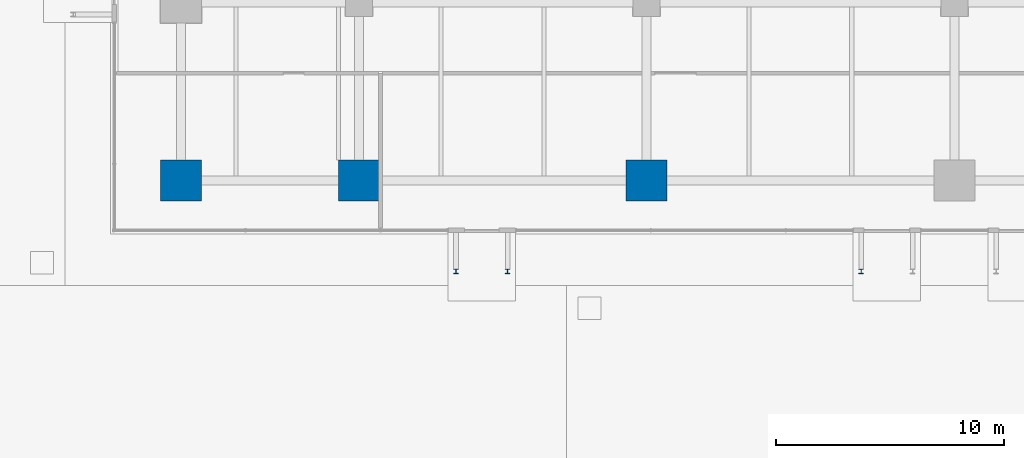
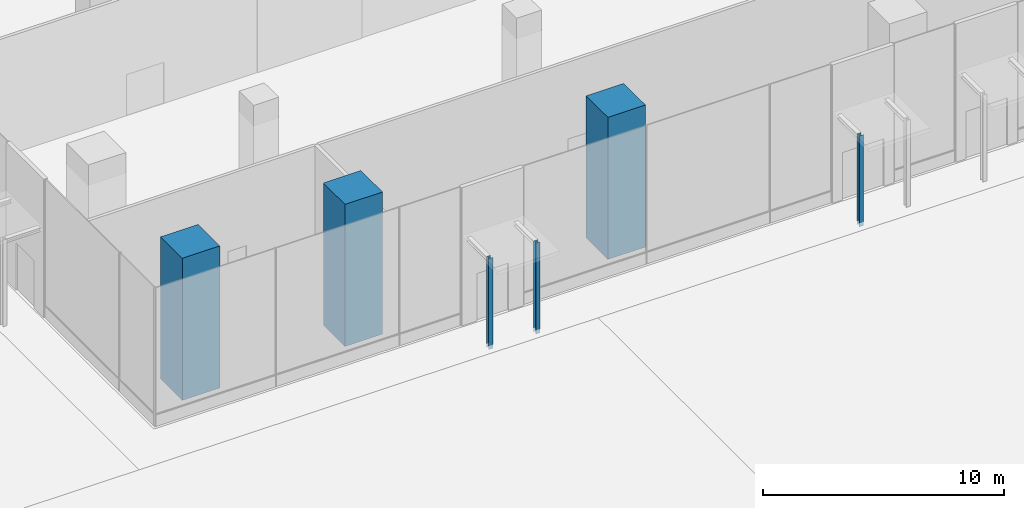
# One storey, part 2 of 41: 6 columns.
"""IFC4 building model written with IfcOpenShell, lengths in metres."""

from ifc_helpers import new_model, si_unit, direction, frame, origin, origin_2d, place, context, subcontext, project, spatial, rectangle, i_section, extrude, material, material_profile, profile_set, type_object, element, save


model = new_model("IFC4")

# Units and contexts
model_context = context("Model", 3, precision=1e-05, world=origin(), true_north=direction((0.0, 1.0)))
body_context = subcontext(model_context, "Body", "Model", "MODEL_VIEW")
ifc_project = project(units=[si_unit("LENGTHUNIT", "METRE"), si_unit("AREAUNIT", "SQUARE_METRE"), si_unit("VOLUMEUNIT", "CUBIC_METRE"), si_unit("PLANEANGLEUNIT", "RADIAN"), si_unit("MASSUNIT", "GRAM", prefix="KILO")], contexts=[model_context])

# Site, building, storey
site_placement = place(None, origin())
site = spatial("IfcSite", under=ifc_project, at=site_placement, CompositionType="ELEMENT")
building_placement = place(site_placement, origin())
building = spatial("IfcBuilding", under=site, at=building_placement, Name="Rattan Terrace Tower", CompositionType="ELEMENT")
storey_placement = place(building_placement, origin())
storey = spatial("IfcBuildingStorey", under=building, at=storey_placement, Name="L00", CompositionType="ELEMENT", Elevation=0.0)

# Columns
ifc_material_1 = material(Name="Structural steel S355", Category="steel")
ifc_material_profile_1 = material_profile(ifc_material_1, i_section(OverallWidth=0.199951171875, OverallDepth=0.199951171875, WebThickness=0.009033203125, FlangeThickness=0.014892578125, FilletRadius=0.01806640625, at=origin_2d()), Name="HE 200 B")
ifc_profile_set_1 = profile_set([ifc_material_profile_1], Name="Structural steel S355")
column_type_1 = type_object("IfcColumnType", Name="Canopy post HE 200 B", PredefinedType="COLUMN", material=ifc_profile_set_1)
for number, where, z_axis, x_axis, name in (
    (1, (-21.85009765625, -38.8798828125, -0.199951171875), (0.0, 0.0, 1.0), (1.0, 0.0, 0.0), "Canopy post 046a"),
    (2, (-19.590087890625, -38.8798828125, -0.199951171875), (0.0, 0.0, 1.0), (1.0, 0.0, 0.0), "Canopy post 046b"),
    (3, (-4.090087890625, -38.8798828125, -0.199951171875), (0.0, 0.0, 1.0), (1.0, 0.0, 0.0), "Canopy post 051a"),
):
    element("IfcColumn", number, at=place(storey_placement, frame(where, z_axis=z_axis, x_axis=x_axis)), inside=storey, type_object=column_type_1, Name=name, PredefinedType="COLUMN", context=body_context, shape_type="SweptSolid", body=[
        extrude(i_section(OverallWidth=0.199951171875, OverallDepth=0.199951171875, WebThickness=0.009033203125, FlangeThickness=0.014892578125, FilletRadius=0.01806640625, at=origin_2d()), origin(), (0.0, 0.0, 1.0), 4.599853515625),
    ])
ifc_material_2 = material(Name="Concrete C60/75", Category="concrete")
ifc_material_profile_2 = material_profile(ifc_material_2, rectangle(XDim=1.800048828125, YDim=1.800048828125, at=origin_2d()), Name="CFT 1800x1800")
ifc_profile_set_2 = profile_set([ifc_material_profile_2], Name="Concrete C60/75")
column_type_2 = type_object("IfcColumnType", Name="Frame exoskeleton column CFT 1800x1800", PredefinedType="COLUMN", material=ifc_profile_set_2)
for number, where, z_axis, x_axis, name in (
    (4, (-33.89990234375, -34.89990234375, -0.199951171875), (0.0, 0.0, 1.0), (1.0, 0.0, 0.0), "exo-L00-001"),
    (5, (-26.10009765625, -34.89990234375, -0.199951171875), (0.0, 0.0, 1.0), (1.0, 0.0, 0.0), "exo-L00-005"),
    (6, (-13.5, -34.89990234375, -0.199951171875), (0.0, 0.0, 1.0), (1.0, 0.0, 0.0), "exo-L00-006"),
):
    element("IfcColumn", number, at=place(storey_placement, frame(where, z_axis=z_axis, x_axis=x_axis)), inside=storey, type_object=column_type_2, Name=name, PredefinedType="COLUMN", context=body_context, shape_type="SweptSolid", body=[
        extrude(rectangle(XDim=1.800048828125, YDim=1.800048828125, at=origin_2d()), origin(), (0.0, 0.0, 1.0), 7.199951171875),
    ])

save(model, "model.ifc")
